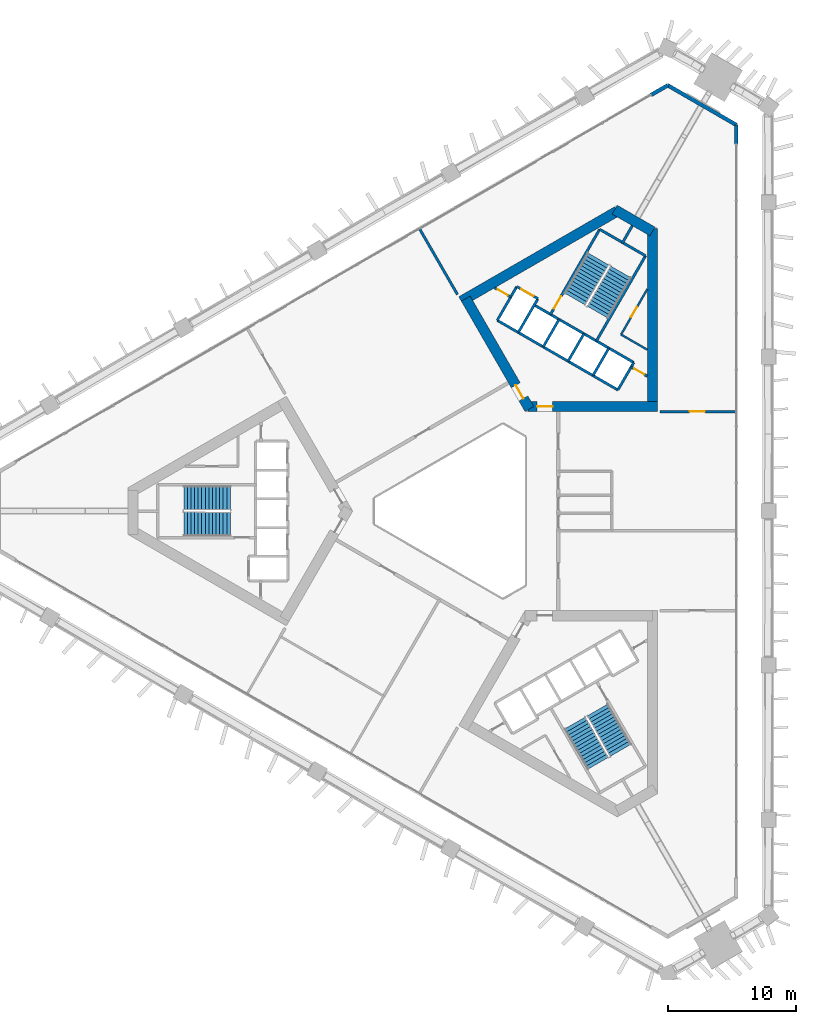
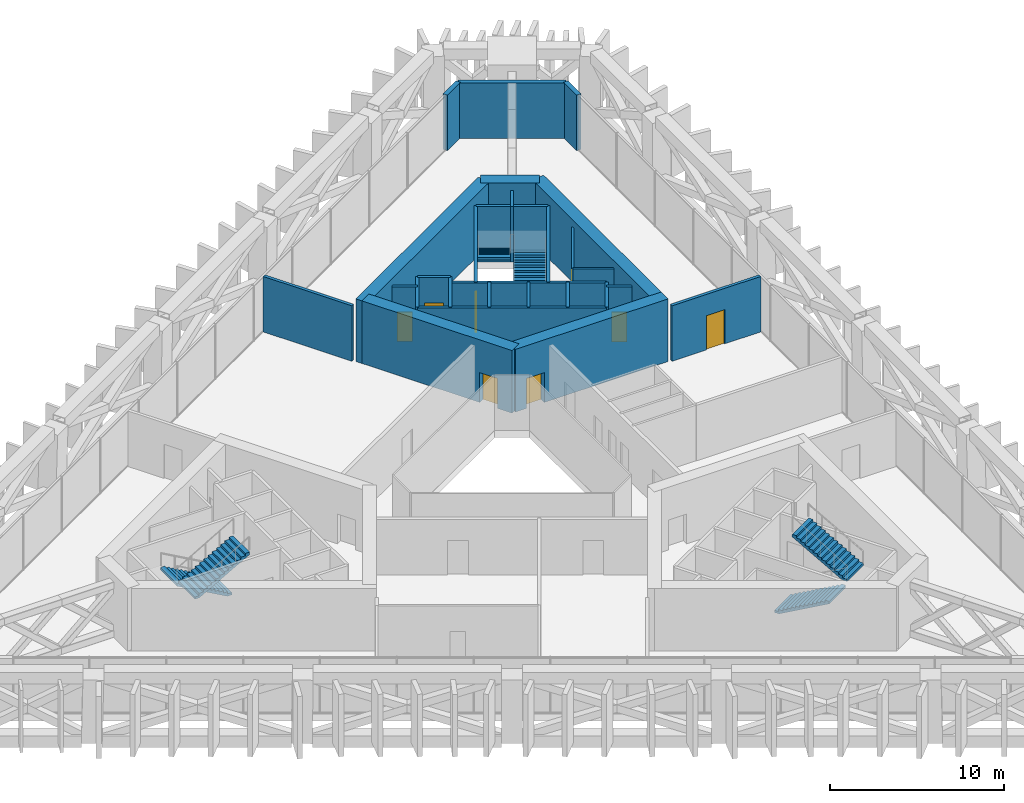
# One storey, part 16 of 18: 27 walls, 8 doors, 6 stair flights, 8 openings, 3 elements without a shape of their own.
"""IFC4 building model written with IfcOpenShell, lengths in metres."""

from ifc_helpers import new_model, si_unit, direction, frame, frame_2d, origin, place, context, subcontext, project, spatial, polyline, rectangle, outline, extrude, material, layer, layer_set, type_object, element, fill, aggregate, save


model = new_model("IFC4")

# Units and contexts
model_context = context("Model", 3, precision=1e-05, world=origin(), true_north=direction((0.0, 1.0)))
body_context = subcontext(model_context, "Body", "Model", "MODEL_VIEW")
ifc_project = project(units=[si_unit("LENGTHUNIT", "METRE"), si_unit("AREAUNIT", "SQUARE_METRE"), si_unit("VOLUMEUNIT", "CUBIC_METRE"), si_unit("PLANEANGLEUNIT", "RADIAN"), si_unit("MASSUNIT", "GRAM", prefix="KILO")], contexts=[model_context])

# Site, building, storey
site_placement = place(None, origin())
site = spatial("IfcSite", under=ifc_project, at=site_placement, CompositionType="ELEMENT")
building_placement = place(site_placement, origin())
building = spatial("IfcBuilding", under=site, at=building_placement, Name="Jabali Bay Hotel Tower and Convention Centre", CompositionType="ELEMENT")
storey_placement = place(building_placement, frame((0.0, 0.0, 52.89990234375)))
storey = spatial("IfcBuildingStorey", under=building, at=storey_placement, Name="L11", CompositionType="ELEMENT", Elevation=52.89990234375)

# Wall
ifc_material_1 = material(Name="Concrete C40", Category="concrete")
ifc_layer_1 = layer(ifc_material_1, 0.199951171875)
ifc_layer_set_1 = layer_set([ifc_layer_1], Name="Concrete C40")
wall_type_1 = type_object("IfcWallType", Name="Core partition wall 200", PredefinedType="PARTITIONING", material=ifc_layer_set_1)
wall_1_placement = place(storey_placement, frame((87.090087890625, 100.9404296875, 0.0), z_axis=(0.0, 0.0, 1.0), x_axis=(0.499956811548, 0.866050337213, 0.0)))
element("IfcWall", 1, at=wall_1_placement, inside=storey, type_object=wall_type_1, Name="Core wall 1.5 L11", PredefinedType="PARTITIONING", context=body_context, shape_type="SweptSolid", body=[
    extrude(rectangle(XDim=1.623291015625, YDim=0.199951171875, at=frame_2d((0.8115234375, 0.0))), origin(), (0.0, 0.0, 1.0), 3.900146484375),
])

# Wall, opening, door
wall_2_placement = place(storey_placement, frame((89.080078125, 90.553955078125, 0.0), z_axis=(0.0, 0.0, 1.0), x_axis=(-0.866022048785, 0.500005810984, 0.0)))
wall_2 = element("IfcWall", 2, at=wall_2_placement, inside=storey, type_object=wall_type_1, Name="Core wall 1.11 L11", PredefinedType="PARTITIONING", context=body_context, shape_type="SweptSolid", body=[
    extrude(rectangle(XDim=1.466796875, YDim=0.199951171875, at=frame_2d((0.7333984375, 0.0))), origin(), (0.0, 0.0, 1.0), 3.900146484375),
])
opening_1_placement = place(wall_2_placement, frame((0.283447265625, 0.0, 0.0)))
opening_1 = element("IfcOpeningElement", 3, at=opening_1_placement, cuts=wall_2, Name="Opening D315", PredefinedType="OPENING", context=body_context, shape_type="SweptSolid", body=[
    extrude(rectangle(XDim=0.89990234375, YDim=2.10009765625, at=frame_2d((0.449951171875, 1.050048828125))), frame((0.0, 0.1103515625, 0.0), z_axis=(0.0, -1.0, 0.0), x_axis=(1.0, 0.0, 0.0)), (0.0, 0.0, 1.0), 0.220947265625),
])
ifc_material_2 = material(Name="Fire-rated steel door", Category="steel")
door_type_1 = type_object("IfcDoorType", Name="Vestibule fire door 900 x 2100", OperationType="NOTDEFINED", PredefinedType="NOTDEFINED", material=ifc_material_2)
door_1_placement = place(opening_1_placement, origin())
door_1 = element("IfcDoor", 4, at=door_1_placement, inside=storey, type_object=door_type_1, Name="Vestibule fire door D315", OperationType="SINGLE_SWING_LEFT", OverallHeight=2.10009765625, OverallWidth=0.89990234375, PredefinedType="NOTDEFINED", context=body_context, shape_type="SweptSolid", body=[
    extrude(rectangle(XDim=0.89990234375, YDim=2.10009765625, at=frame_2d((0.449951171875, 1.050048828125))), frame((0.0, 0.02490234375, 0.0), z_axis=(0.0, -1.0, 0.0), x_axis=(1.0, 0.0, 0.0)), (0.0, 0.0, 1.0), 0.050048828125),
])
fill(opening_1, door_1)

wall_3_placement = place(storey_placement, frame((78.380126953125, 96.754638671875, 0.0), z_axis=(0.0, 0.0, 1.0), x_axis=(-0.866003949776, 0.500037157592, 0.0)))
wall_3 = element("IfcWall", 5, at=wall_3_placement, inside=storey, type_object=wall_type_1, Name="Core wall 1.12 L11", PredefinedType="PARTITIONING", context=body_context, shape_type="SweptSolid", body=[
    extrude(rectangle(XDim=1.455078125, YDim=0.199951171875, at=frame_2d((0.7275390625, 0.0))), origin(), (0.0, 0.0, 1.0), 3.900146484375),
])
opening_2_placement = place(wall_3_placement, frame((0.277587890625, 0.0, 0.0)))
opening_2 = element("IfcOpeningElement", 6, at=opening_2_placement, cuts=wall_3, Name="Opening D314", PredefinedType="OPENING", context=body_context, shape_type="SweptSolid", body=[
    extrude(rectangle(XDim=0.89990234375, YDim=2.10009765625, at=frame_2d((0.449951171875, 1.050048828125))), frame((0.0, 0.1103515625, 0.0), z_axis=(0.0, -1.0, 0.0), x_axis=(1.0, 0.0, 0.0)), (0.0, 0.0, 1.0), 0.220947265625),
])
door_2_placement = place(opening_2_placement, origin())
door_2 = element("IfcDoor", 7, at=door_2_placement, inside=storey, type_object=door_type_1, Name="Vestibule fire door D314", OperationType="SINGLE_SWING_LEFT", OverallHeight=2.10009765625, OverallWidth=0.89990234375, PredefinedType="NOTDEFINED", context=body_context, shape_type="SweptSolid", body=[
    extrude(rectangle(XDim=0.89990234375, YDim=2.10009765625, at=frame_2d((0.449951171875, 1.050048828125))), frame((0.0, 0.02490234375, 0.0), z_axis=(0.0, -1.0, 0.0), x_axis=(1.0, 0.0, 0.0)), (0.0, 0.0, 1.0), 0.050048828125),
])
fill(opening_2, door_2)

ifc_material_3 = material(Name="Fire-rated board partition")
ifc_layer_2 = layer(ifc_material_3, 0.14990234375)
ifc_layer_set_2 = layer_set([ifc_layer_2], Name="Fire-rated board partition")
wall_type_2 = type_object("IfcWallType", Name="Core room partition 150", PredefinedType="PARTITIONING", material=ifc_layer_set_2)
wall_4_placement = place(storey_placement, frame((87.02099609375, 93.821044921875, 0.0), z_axis=(0.0, 0.0, 1.0), x_axis=(0.500028662945, 0.866008854593, 0.0)))
wall_4 = element("IfcWall", 8, at=wall_4_placement, inside=storey, type_object=wall_type_2, Name="Core wall 1.1 L11", PredefinedType="PARTITIONING", context=body_context, shape_type="SweptSolid", body=[
    extrude(rectangle(XDim=4.117919921875, YDim=0.14990234375, at=frame_2d((2.05908203125, 0.0))), origin(), (0.0, 0.0, 1.0), 3.900146484375),
])
opening_3_placement = place(wall_4_placement, frame((1.58154296875, 0.0, 0.0)))
opening_3 = element("IfcOpeningElement", 9, at=opening_3_placement, cuts=wall_4, Name="Opening D317", PredefinedType="OPENING", context=body_context, shape_type="SweptSolid", body=[
    extrude(rectangle(XDim=0.89990234375, YDim=2.10009765625, at=frame_2d((0.449951171875, 1.050048828125))), frame((0.0, 0.08544921875, 0.0), z_axis=(0.0, -1.0, 0.0), x_axis=(1.0, 0.0, 0.0)), (0.0, 0.0, 1.0), 0.1708984375),
])
door_type_2 = type_object("IfcDoorType", Name="Core room door 900 x 2100", OperationType="NOTDEFINED", PredefinedType="NOTDEFINED", material=ifc_material_2)
door_3_placement = place(opening_3_placement, origin())
door_3 = element("IfcDoor", 10, at=door_3_placement, inside=storey, type_object=door_type_2, Name="Core room door D317", OperationType="SINGLE_SWING_LEFT", OverallHeight=2.10009765625, OverallWidth=0.89990234375, PredefinedType="NOTDEFINED", context=body_context, shape_type="SweptSolid", body=[
    extrude(rectangle(XDim=0.89990234375, YDim=2.10009765625, at=frame_2d((0.449951171875, 1.050048828125))), frame((0.0, 0.02490234375, 0.0), z_axis=(0.0, -1.0, 0.0), x_axis=(1.0, 0.0, 0.0)), (0.0, 0.0, 1.0), 0.050048828125),
])
fill(opening_3, door_3)

# Walls
wall_5_placement = place(storey_placement, frame((89.080078125, 92.63232421875, 0.0), z_axis=(0.0, 0.0, 1.0), x_axis=(-0.866041951395, 0.499971337603, 0.0)))
element("IfcWall", 11, at=wall_5_placement, inside=storey, type_object=wall_type_2, Name="Core wall 1.15 L11", PredefinedType="PARTITIONING", context=body_context, shape_type="SweptSolid", body=[
    extrude(rectangle(XDim=2.377685546875, YDim=0.14990234375, at=frame_2d((1.18896484375, 0.0))), origin(), (0.0, 0.0, 1.0), 3.900146484375),
])
ifc_layer_3 = layer(ifc_material_1, 0.199951171875)
ifc_layer_set_3 = layer_set([ifc_layer_3], Name="Concrete C40")
wall_type_3 = type_object("IfcWallType", Name="Core stair wall 200", PredefinedType="SOLIDWALL", material=ifc_layer_set_3)
for number, where, z_axis, x_axis, name in (
    (12, (86.769775390625, 89.48583984375, 0.0), (0.0, 0.0, 1.0), (0.499961042966, 0.86604789447, 0.0), "Core wall 1.0 L11"),
    (13, (84.8212890625, 90.61083984375, 0.0), (0.0, 0.0, 1.0), (0.499961042966, 0.86604789447, 0.0), "Core wall 1.2 L11"),
):
    element("IfcWall", number, at=place(storey_placement, frame(where, z_axis=z_axis, x_axis=x_axis)), inside=storey, type_object=wall_type_3, Name=name, PredefinedType="SOLIDWALL", context=body_context, shape_type="SweptSolid", body=[
        extrude(rectangle(XDim=2.480224609375, YDim=0.199951171875, at=frame_2d((1.240234375, 0.0))), origin(), (0.0, 0.0, 1.0), 3.900146484375),
    ])
wall_6_placement = place(storey_placement, frame((85.0869140625, 93.3212890625, 0.0), z_axis=(0.0, 0.0, 1.0), x_axis=(0.500019787375, 0.866013979237, 0.0)))
element("IfcWall", 14, at=wall_6_placement, inside=storey, type_object=wall_type_3, Name="Core wall 1.3 L11", PredefinedType="SOLIDWALL", context=body_context, shape_type="SweptSolid", body=[
    extrude(rectangle(XDim=7.699951171875, YDim=0.199951171875, at=frame_2d((3.85009765625, 0.0))), origin(), (0.0, 0.0, 1.0), 3.900146484375),
])
for number, where, z_axis, x_axis, name in (
    (15, (82.872802734375, 91.73583984375, 0.0), (0.0, 0.0, 1.0), (0.499961042966, 0.86604789447, 0.0), "Core wall 1.4 L11"),
    (16, (80.924072265625, 92.86083984375, 0.0), (0.0, 0.0, 1.0), (0.499961042966, 0.86604789447, 0.0), "Core wall 1.6 L11"),
):
    element("IfcWall", number, at=place(storey_placement, frame(where, z_axis=z_axis, x_axis=x_axis)), inside=storey, type_object=wall_type_3, Name=name, PredefinedType="SOLIDWALL", context=body_context, shape_type="SweptSolid", body=[
        extrude(rectangle(XDim=2.480224609375, YDim=0.199951171875, at=frame_2d((1.240234375, 0.0))), origin(), (0.0, 0.0, 1.0), 3.900146484375),
    ])

# Wall, opening, door
wall_7_placement = place(storey_placement, frame((81.492919921875, 95.396240234375, 0.0), z_axis=(0.0, 0.0, 1.0), x_axis=(0.500006057782, 0.866021906294, 0.0)))
wall_7 = element("IfcWall", 17, at=wall_7_placement, inside=storey, type_object=wall_type_3, Name="Core wall 1.7 L11", PredefinedType="SOLIDWALL", context=body_context, shape_type="SweptSolid", body=[
    extrude(rectangle(XDim=7.7001953125, YDim=0.199951171875, at=frame_2d((3.85009765625, 0.0))), origin(), (0.0, 0.0, 1.0), 3.900146484375),
])
opening_4_placement = place(wall_7_placement, frame((0.550048828125, 0.0, 0.0)))
opening_4 = element("IfcOpeningElement", 18, at=opening_4_placement, cuts=wall_7, Name="Opening D316", PredefinedType="OPENING", context=body_context, shape_type="SweptSolid", body=[
    extrude(rectangle(XDim=1.10009765625, YDim=2.10009765625, at=frame_2d((0.550048828125, 1.050048828125))), frame((0.0, 0.1103515625, 0.0), z_axis=(0.0, -1.0, 0.0), x_axis=(1.0, 0.0, 0.0)), (0.0, 0.0, 1.0), 0.220947265625),
])
door_type_3 = type_object("IfcDoorType", Name="Stair fire door 1100 x 2100", OperationType="NOTDEFINED", PredefinedType="NOTDEFINED", material=ifc_material_2)
door_4_placement = place(opening_4_placement, origin())
door_4 = element("IfcDoor", 19, at=door_4_placement, inside=storey, type_object=door_type_3, Name="Stair fire door D316", OperationType="SINGLE_SWING_RIGHT", OverallHeight=2.10009765625, OverallWidth=1.10009765625, PredefinedType="NOTDEFINED", context=body_context, shape_type="SweptSolid", body=[
    extrude(rectangle(XDim=1.10009765625, YDim=2.10009765625, at=frame_2d((0.550048828125, 1.050048828125))), frame((0.0, 0.02490234375, 0.0), z_axis=(0.0, -1.0, 0.0), x_axis=(1.0, 0.0, 0.0)), (0.0, 0.0, 1.0), 0.050048828125),
])
fill(opening_4, door_4)

# Walls
for number, where, z_axis, x_axis, name in (
    (20, (78.9755859375, 93.98583984375, 0.0), (0.0, 0.0, 1.0), (0.499944174705, 0.866057632134, 0.0), "Core wall 1.8 L11"),
    (21, (77.330078125, 94.93603515625, 0.0), (0.0, 0.0, 1.0), (0.500038867431, 0.8660029625, 0.0), "Core wall 1.9 L11"),
):
    element("IfcWall", number, at=place(storey_placement, frame(where, z_axis=z_axis, x_axis=x_axis)), inside=storey, type_object=wall_type_3, Name=name, PredefinedType="SOLIDWALL", context=body_context, shape_type="SweptSolid", body=[
        extrude(rectangle(XDim=3.050048828125, YDim=0.199951171875, at=frame_2d((1.52490234375, 0.0))), origin(), (0.0, 0.0, 1.0), 3.900146484375),
    ])
wall_8_placement = place(storey_placement, frame((86.769775390625, 89.48583984375, 0.0), z_axis=(0.0, 0.0, 1.0), x_axis=(-0.86601811187, 0.500012629753, 0.0)))
element("IfcWall", 22, at=wall_8_placement, inside=storey, type_object=wall_type_3, Name="Core wall 1.10 L11", PredefinedType="SOLIDWALL", context=body_context, shape_type="SweptSolid", body=[
    extrude(rectangle(XDim=10.900146484375, YDim=0.199951171875, at=frame_2d((5.4501953125, 0.0))), origin(), (0.0, 0.0, 1.0), 3.900146484375),
])
wall_9_placement = place(storey_placement, frame((88.009765625, 91.6337890625, 0.0), z_axis=(0.0, 0.0, 1.0), x_axis=(-0.866024315419, 0.5000018851, 0.0)))
element("IfcWall", 23, at=wall_9_placement, inside=storey, type_object=wall_type_3, Name="Core wall 1.13 L11", PredefinedType="SOLIDWALL", context=body_context, shape_type="SweptSolid", body=[
    extrude(rectangle(XDim=9.0, YDim=0.199951171875, at=frame_2d((4.5, 0.0))), origin(), (0.0, 0.0, 1.0), 3.900146484375),
])

# Wall, opening, door
wall_10_placement = place(storey_placement, frame((80.50048828125, 96.62744140625, 0.0), z_axis=(0.0, 0.0, 1.0), x_axis=(-0.86601224135, 0.500022797313, 0.0)))
wall_10 = element("IfcWall", 24, at=wall_10_placement, inside=storey, type_object=wall_type_3, Name="Core wall 1.14 L11", PredefinedType="SOLIDWALL", context=body_context, shape_type="SweptSolid", body=[
    extrude(rectangle(XDim=1.89990234375, YDim=0.199951171875, at=frame_2d((0.949951171875, 0.0))), origin(), (0.0, 0.0, 1.0), 3.900146484375),
])
opening_5_placement = place(wall_10_placement, frame((0.39990234375, 0.0, 0.0)))
opening_5 = element("IfcOpeningElement", 25, at=opening_5_placement, cuts=wall_10, Name="Opening LD10-L11", PredefinedType="OPENING", context=body_context, shape_type="SweptSolid", body=[
    extrude(rectangle(XDim=1.10009765625, YDim=2.10009765625, at=frame_2d((0.550048828125, 1.050048828125))), frame((0.0, 0.1103515625, 0.0), z_axis=(0.0, -1.0, 0.0), x_axis=(1.0, 0.0, 0.0)), (0.0, 0.0, 1.0), 0.220947265625),
])
ifc_material_4 = material(Name="Stainless steel landing door", Category="steel")
door_type_4 = type_object("IfcDoorType", Name="Landing door 1100 x 2100", OperationType="NOTDEFINED", PredefinedType="NOTDEFINED", material=ifc_material_4)
door_5_placement = place(opening_5_placement, origin())
door_5 = element("IfcDoor", 26, at=door_5_placement, inside=storey, type_object=door_type_4, Name="Landing doors LD10-L11", OperationType="SLIDING_TO_RIGHT", OverallHeight=2.10009765625, OverallWidth=1.10009765625, PredefinedType="NOTDEFINED", context=body_context, shape_type="SweptSolid", body=[
    extrude(rectangle(XDim=1.10009765625, YDim=2.10009765625, at=frame_2d((0.550048828125, 1.050048828125))), frame((0.0, 0.02490234375, 0.0), z_axis=(0.0, -1.0, 0.0), x_axis=(1.0, 0.0, 0.0)), (0.0, 0.0, 1.0), 0.050048828125),
])
fill(opening_5, door_5)

# Wall
wall_11_placement = place(storey_placement, frame((88.93701171875, 99.989501953125, 0.0), z_axis=(0.0, 0.0, 1.0), x_axis=(-0.866004344652, 0.500036473714, 0.0)))
element("IfcWall", 27, at=wall_11_placement, inside=storey, type_object=wall_type_3, Name="Core wall 1.16 L11", PredefinedType="SOLIDWALL", context=body_context, shape_type="SweptSolid", body=[
    extrude(rectangle(XDim=4.150146484375, YDim=0.199951171875, at=frame_2d((2.0751953125, 0.0))), origin(), (0.0, 0.0, 1.0), 3.900146484375),
])

# Wall, opening, door
ifc_material_5 = material(Name="Concrete C60", Category="concrete")
ifc_layer_4 = layer(ifc_material_5, 0.800048828125)
ifc_layer_set_4 = layer_set([ifc_layer_4], Name="Concrete C60")
wall_type_4 = type_object("IfcWallType", Name="Core wall 800", PredefinedType="SHEAR", material=ifc_layer_set_4)
wall_12_placement = place(storey_placement, frame((79.73095703125, 88.1943359375, 0.0), z_axis=(0.0, 0.0, 1.0), x_axis=(1.0, 0.0, 0.0)))
wall_12 = element("IfcWall", 28, at=wall_12_placement, inside=storey, type_object=wall_type_4, Name="Core wall 2.1 L11", PredefinedType="SHEAR", context=body_context, shape_type="SweptSolid", body=[
    extrude(rectangle(XDim=10.14892578125, YDim=0.800048828125, at=frame_2d((5.074462890625, 0.0))), origin(), (0.0, 0.0, 1.0), 4.400146484375),
])
opening_6_placement = place(wall_12_placement, frame((0.718994140625, 0.0, 0.0)))
opening_6 = element("IfcOpeningElement", 29, at=opening_6_placement, cuts=wall_12, Name="Opening D312", PredefinedType="OPENING", context=body_context, shape_type="SweptSolid", body=[
    extrude(rectangle(XDim=1.199951171875, YDim=2.10009765625, at=frame_2d((0.60009765625, 1.050048828125))), frame((0.0, 0.41064453125, 0.0), z_axis=(0.0, -1.0, 0.0), x_axis=(1.0, 0.0, 0.0)), (0.0, 0.0, 1.0), 0.821044921875),
])
door_type_5 = type_object("IfcDoorType", Name="Corridor end fire door 1200 x 2100", OperationType="NOTDEFINED", PredefinedType="NOTDEFINED", material=ifc_material_2)
door_6_placement = place(opening_6_placement, origin())
door_6 = element("IfcDoor", 30, at=door_6_placement, inside=storey, type_object=door_type_5, Name="Corridor end fire door D312", OperationType="SINGLE_SWING_RIGHT", OverallHeight=2.10009765625, OverallWidth=1.199951171875, PredefinedType="NOTDEFINED", context=body_context, shape_type="SweptSolid", body=[
    extrude(rectangle(XDim=1.199951171875, YDim=2.10009765625, at=frame_2d((0.60009765625, 1.050048828125))), frame((0.0, 0.02490234375, 0.0), z_axis=(0.0, -1.0, 0.0), x_axis=(1.0, 0.0, 0.0)), (0.0, 0.0, 1.0), 0.050048828125),
])
fill(opening_6, door_6)

# Walls
wall_13_placement = place(storey_placement, frame((89.47998046875, 88.1943359375, 0.0), z_axis=(0.0, 0.0, 1.0), x_axis=(0.0, 1.0, 0.0)))
element("IfcWall", 31, at=wall_13_placement, inside=storey, type_object=wall_type_4, Name="Core wall 2.2 L11", PredefinedType="SHEAR", context=body_context, shape_type="SweptSolid", body=[
    extrude(rectangle(XDim=13.933349609375, YDim=0.800048828125, at=frame_2d((6.966796875, 0.0))), origin(), (0.0, 0.0, 1.0), 4.400146484375),
])
wall_14_placement = place(storey_placement, frame((89.47998046875, 101.896728515625, 0.0), z_axis=(0.0, 0.0, 1.0), x_axis=(-0.866034355626, 0.499984494636, 0.0)))
element("IfcWall", 32, at=wall_14_placement, inside=storey, type_object=wall_type_4, Name="Core wall 2.3 L11", PredefinedType="SHEAR", context=body_context, shape_type="SweptSolid", body=[
    extrude(rectangle(XDim=3.4140625, YDim=0.800048828125, at=frame_2d((1.70703125, 0.0))), origin(), (0.0, 0.0, 1.0), 4.400146484375),
])
wall_15_placement = place(storey_placement, frame((86.72314453125, 103.48828125, 0.0), z_axis=(0.0, 0.0, 1.0), x_axis=(-0.866032504327, -0.499987701298, 0.0)))
element("IfcWall", 33, at=wall_15_placement, inside=storey, type_object=wall_type_4, Name="Core wall 2.4 L11", PredefinedType="SHEAR", context=body_context, shape_type="SweptSolid", body=[
    extrude(rectangle(XDim=14.102294921875, YDim=0.800048828125, at=frame_2d((7.05126953125, 0.0))), origin(), (0.0, 0.0, 1.0), 4.400146484375),
])

# Wall, opening, door
wall_16_placement = place(storey_placement, frame((74.8564453125, 96.63720703125, 0.0), z_axis=(0.0, 0.0, 1.0), x_axis=(0.499993500917, -0.866029155999, 0.0)))
wall_16 = element("IfcWall", 34, at=wall_16_placement, inside=storey, type_object=wall_type_4, Name="Core wall 2.5 L11", PredefinedType="SHEAR", context=body_context, shape_type="SweptSolid", body=[
    extrude(rectangle(XDim=9.980224609375, YDim=0.800048828125, at=frame_2d((4.990234375, 0.0))), origin(), (0.0, 0.0, 1.0), 4.400146484375),
])
opening_7_placement = place(wall_16_placement, frame((7.830078125, 0.0, 0.0)))
opening_7 = element("IfcOpeningElement", 35, at=opening_7_placement, cuts=wall_16, Name="Opening D313", PredefinedType="OPENING", context=body_context, shape_type="SweptSolid", body=[
    extrude(rectangle(XDim=1.199951171875, YDim=2.10009765625, at=frame_2d((0.60009765625, 1.050048828125))), frame((0.0, 0.41064453125, 0.0), z_axis=(0.0, -1.0, 0.0), x_axis=(1.0, 0.0, 0.0)), (0.0, 0.0, 1.0), 0.821044921875),
])
door_7_placement = place(opening_7_placement, origin())
door_7 = element("IfcDoor", 36, at=door_7_placement, inside=storey, type_object=door_type_5, Name="Corridor end fire door D313", OperationType="SINGLE_SWING_LEFT", OverallHeight=2.10009765625, OverallWidth=1.199951171875, PredefinedType="NOTDEFINED", context=body_context, shape_type="SweptSolid", body=[
    extrude(rectangle(XDim=1.199951171875, YDim=2.10009765625, at=frame_2d((0.60009765625, 1.050048828125))), frame((0.0, 0.02490234375, 0.0), z_axis=(0.0, -1.0, 0.0), x_axis=(1.0, 0.0, 0.0)), (0.0, 0.0, 1.0), 0.050048828125),
])
fill(opening_7, door_7)

# Walls
ifc_layer_5 = layer(ifc_material_1, 0.300048828125)
ifc_layer_set_5 = layer_set([ifc_layer_5], Name="Concrete C40")
wall_type_5 = type_object("IfcWallType", Name="External wall 300", PredefinedType="SOLIDWALL", material=ifc_layer_set_5)
wall_17_placement = place(storey_placement, frame((90.676513671875, 113.343017578125, 0.0), z_axis=(0.0, 0.0, 1.0), x_axis=(0.866025993994, -0.499998977725, 0.0)))
element("IfcWall", 37, at=wall_17_placement, inside=storey, type_object=wall_type_5, Name="External wall north-east chamfer L11", PredefinedType="SOLIDWALL", context=body_context, shape_type="SweptSolid", body=[
    extrude(rectangle(XDim=6.1904296875, YDim=0.300048828125, at=frame_2d((3.09521484375, 0.0))), origin(), (0.0, 0.0, 1.0), 3.900146484375),
])
for number, where, z_axis, x_axis, name in (
    (38, (96.03759765625, 110.247802734375, 0.0), (0.0, 0.0, 1.0), (0.0, -1.0, 0.0), "External wall east face L11"),
    (39, (89.37744140625, 112.593017578125, 0.0), (0.0, 0.0, 1.0), (0.866031096941, 0.499990139034, 0.0), "External wall north-west face L11"),
):
    element("IfcWall", number, at=place(storey_placement, frame(where, z_axis=z_axis, x_axis=x_axis)), inside=storey, type_object=wall_type_5, Name=name, PredefinedType="SOLIDWALL", context=body_context, shape_type="SweptSolid", body=[
        extrude(rectangle(XDim=1.5, YDim=0.300048828125, at=frame_2d((0.75, 0.0))), origin(), (0.0, 0.0, 1.0), 3.900146484375),
    ])

# Wall, opening, door
ifc_material_6 = material(Name="Plasterboard on steel stud", Category="steel")
ifc_layer_6 = layer(ifc_material_6, 0.199951171875)
ifc_layer_set_6 = layer_set([ifc_layer_6], Name="Plasterboard on steel stud")
wall_type_6 = type_object("IfcWallType", Name="Partition 200 party", PredefinedType="PARTITIONING", material=ifc_layer_set_6)
wall_18_placement = place(storey_placement, frame((90.0791015625, 87.794189453125, 0.0), z_axis=(0.0, 0.0, 1.0), x_axis=(1.0, 0.0, 0.0)))
wall_18 = element("IfcWall", 40, at=wall_18_placement, inside=storey, type_object=wall_type_6, Name="Partition P01 L11 008", PredefinedType="PARTITIONING", context=body_context, shape_type="SweptSolid", body=[
    extrude(rectangle(XDim=5.904541015625, YDim=0.199951171875, at=frame_2d((2.9521484375, 0.0))), origin(), (0.0, 0.0, 1.0), 3.900146484375),
])
opening_8_placement = place(wall_18_placement, frame((2.304931640625, 0.0, 0.0)))
opening_8 = element("IfcOpeningElement", 41, at=opening_8_placement, cuts=wall_18, Name="Opening 1111", PredefinedType="OPENING", context=body_context, shape_type="SweptSolid", body=[
    extrude(rectangle(XDim=1.199951171875, YDim=2.39990234375, at=frame_2d((0.60009765625, 1.199951171875))), frame((0.0, 0.1103515625, 0.0), z_axis=(0.0, -1.0, 0.0), x_axis=(1.0, 0.0, 0.0)), (0.0, 0.0, 1.0), 0.220947265625),
])
ifc_material_7 = material(Name="Timber", Category="wood")
door_type_6 = type_object("IfcDoorType", Name="Public room door 1200 x 2400", OperationType="NOTDEFINED", PredefinedType="NOTDEFINED", material=ifc_material_7)
door_8_placement = place(opening_8_placement, origin())
door_8 = element("IfcDoor", 42, at=door_8_placement, inside=storey, type_object=door_type_6, Name="Door 1111", OperationType="SINGLE_SWING_RIGHT", OverallHeight=2.39990234375, OverallWidth=1.199951171875, PredefinedType="NOTDEFINED", context=body_context, shape_type="SweptSolid", body=[
    extrude(rectangle(XDim=1.199951171875, YDim=2.39990234375, at=frame_2d((0.60009765625, 1.199951171875))), frame((0.0, 0.02490234375, 0.0), z_axis=(0.0, -1.0, 0.0), x_axis=(1.0, 0.0, 0.0)), (0.0, 0.0, 1.0), 0.050048828125),
])
fill(opening_8, door_8)

# Wall
wall_19_placement = place(storey_placement, frame((71.258056640625, 102.069580078125, 0.0), z_axis=(0.0, 0.0, 1.0), x_axis=(0.49999445743, -0.866028603765, 0.0)))
element("IfcWall", 43, at=wall_19_placement, inside=storey, type_object=wall_type_6, Name="Partition P01 L11 010", PredefinedType="PARTITIONING", context=body_context, shape_type="SweptSolid", body=[
    extrude(rectangle(XDim=5.90478515625, YDim=0.199951171875, at=frame_2d((2.952392578125, 0.0))), origin(), (0.0, 0.0, 1.0), 3.900146484375),
])

# Stair, stair flights
stair_type = type_object("IfcStairType", Name="Exit stair 1900", PredefinedType="HALF_TURN_STAIR", material=ifc_material_1)
stair_1_placement = place(storey_placement, origin())
stair_1 = element("IfcStair", 44, at=stair_1_placement, inside=storey, type_object=stair_type, Name="L11 Exit Stair 1", PredefinedType="HALF_TURN_STAIR")
stair_flight_type = type_object("IfcStairFlightType", Name="Stair flight concrete 150", PredefinedType="STRAIGHT", material=ifc_material_1)
stair_flight_1_placement = place(storey_placement, frame((56.419921875, 81.02490234375, 0.0), z_axis=(0.0, 0.0, 1.0), x_axis=(-1.0, 0.0, 0.0)))
stair_flight_1 = element("IfcStairFlight", 45, at=stair_flight_1_placement, type_object=stair_flight_type, Name="ST1 flight 1", NumberOfRisers=14, NumberOfTreads=13, PredefinedType="STRAIGHT", RiserHeight=0.157142857, TreadLength=0.28, context=body_context, shape_type="SweptSolid", body=[
    extrude(outline(polyline([(0.0, 0.0), (0.0, 0.1572265625), (0.280029296875, 0.1572265625), (0.280029296875, 0.314208984375), (0.56005859375, 0.314208984375), (0.56005859375, 0.471435546875), (0.840087890625, 0.471435546875), (0.840087890625, 0.628662109375), (1.1201171875, 0.628662109375), (1.1201171875, 0.78564453125), (1.39990234375, 0.78564453125), (1.39990234375, 0.94287109375), (1.679931640625, 0.94287109375), (1.679931640625, 1.10009765625), (1.9599609375, 1.10009765625), (1.9599609375, 1.257080078125), (2.239990234375, 1.257080078125), (2.239990234375, 1.414306640625), (2.52001953125, 1.414306640625), (2.52001953125, 1.571533203125), (2.800048828125, 1.571533203125), (2.800048828125, 1.728515625), (3.080078125, 1.728515625), (3.080078125, 1.8857421875), (3.360107421875, 1.8857421875), (3.360107421875, 2.04296875), (3.639892578125, 2.04296875), (3.639892578125, 2.199951171875), (3.639892578125, 1.870849609375), (0.306396484375, 0.0), (0.0, 0.0)])), frame((0.0, 0.949951171875, 0.0), z_axis=(0.0, -1.0, 0.0), x_axis=(1.0, 0.0, 0.0)), (0.0, 0.0, 1.0), 1.89990234375),
])
stair_flight_2_placement = place(storey_placement, frame((52.780029296875, 78.97509765625, 2.2001953125), z_axis=(0.0, 0.0, 1.0), x_axis=(1.0, 0.0, 0.0)))
stair_flight_2 = element("IfcStairFlight", 46, at=stair_flight_2_placement, type_object=stair_flight_type, Name="ST1 flight 2", NumberOfRisers=14, NumberOfTreads=13, PredefinedType="STRAIGHT", RiserHeight=0.157142857, TreadLength=0.28, context=body_context, shape_type="SweptSolid", body=[
    extrude(outline(polyline([(0.0, 0.0), (0.0, 0.1572265625), (0.280029296875, 0.1572265625), (0.280029296875, 0.314208984375), (0.56005859375, 0.314208984375), (0.56005859375, 0.471435546875), (0.840087890625, 0.471435546875), (0.840087890625, 0.628662109375), (1.1201171875, 0.628662109375), (1.1201171875, 0.78564453125), (1.39990234375, 0.78564453125), (1.39990234375, 0.94287109375), (1.679931640625, 0.94287109375), (1.679931640625, 1.10009765625), (1.9599609375, 1.10009765625), (1.9599609375, 1.257080078125), (2.239990234375, 1.257080078125), (2.239990234375, 1.414306640625), (2.52001953125, 1.414306640625), (2.52001953125, 1.571533203125), (2.800048828125, 1.571533203125), (2.800048828125, 1.728515625), (3.080078125, 1.728515625), (3.080078125, 1.8857421875), (3.360107421875, 1.8857421875), (3.360107421875, 2.04296875), (3.639892578125, 2.04296875), (3.639892578125, 2.199951171875), (3.639892578125, 1.870849609375), (0.306396484375, 0.0), (0.0, 0.0)])), frame((0.0, 0.949951171875, 0.0), z_axis=(0.0, -1.0, 0.0), x_axis=(1.0, 0.0, 0.0)), (0.0, 0.0, 1.0), 1.89990234375),
])
aggregate(stair_1, [stair_flight_1, stair_flight_2])

stair_2_placement = place(storey_placement, origin())
stair_2 = element("IfcStair", 47, at=stair_2_placement, inside=storey, type_object=stair_type, Name="L11 Exit Stair 2", PredefinedType="HALF_TURN_STAIR")
stair_flight_3_placement = place(storey_placement, frame((85.177734375, 95.578369140625, 0.0), z_axis=(0.0, 0.0, 1.0), x_axis=(0.5, 0.866025403784, 0.0)))
stair_flight_3 = element("IfcStairFlight", 48, at=stair_flight_3_placement, type_object=stair_flight_type, Name="ST2 flight 1", NumberOfRisers=14, NumberOfTreads=13, PredefinedType="STRAIGHT", RiserHeight=0.157142857, TreadLength=0.28, context=body_context, shape_type="SweptSolid", body=[
    extrude(outline(polyline([(0.0, 0.0), (0.0, 0.1572265625), (0.280029296875, 0.1572265625), (0.280029296875, 0.314208984375), (0.56005859375, 0.314208984375), (0.56005859375, 0.471435546875), (0.840087890625, 0.471435546875), (0.840087890625, 0.628662109375), (1.1201171875, 0.628662109375), (1.1201171875, 0.78564453125), (1.39990234375, 0.78564453125), (1.39990234375, 0.94287109375), (1.679931640625, 0.94287109375), (1.679931640625, 1.10009765625), (1.9599609375, 1.10009765625), (1.9599609375, 1.257080078125), (2.239990234375, 1.257080078125), (2.239990234375, 1.414306640625), (2.52001953125, 1.414306640625), (2.52001953125, 1.571533203125), (2.800048828125, 1.571533203125), (2.800048828125, 1.728515625), (3.080078125, 1.728515625), (3.080078125, 1.8857421875), (3.360107421875, 1.8857421875), (3.360107421875, 2.04296875), (3.639892578125, 2.04296875), (3.639892578125, 2.199951171875), (3.639892578125, 1.870849609375), (0.306396484375, 0.0), (0.0, 0.0)])), frame((0.0, 0.949951171875, 0.0), z_axis=(0.0, -1.0, 0.0), x_axis=(1.0, 0.0, 0.0)), (0.0, 0.0, 1.0), 1.89990234375),
])
stair_flight_4_placement = place(storey_placement, frame((85.222412109375, 99.755615234375, 2.2001953125), z_axis=(0.0, 0.0, 1.0), x_axis=(-0.5, -0.866025403784, 0.0)))
stair_flight_4 = element("IfcStairFlight", 49, at=stair_flight_4_placement, type_object=stair_flight_type, Name="ST2 flight 2", NumberOfRisers=14, NumberOfTreads=13, PredefinedType="STRAIGHT", RiserHeight=0.157142857, TreadLength=0.28, context=body_context, shape_type="SweptSolid", body=[
    extrude(outline(polyline([(0.0, 0.0), (0.0, 0.1572265625), (0.280029296875, 0.1572265625), (0.280029296875, 0.314208984375), (0.56005859375, 0.314208984375), (0.56005859375, 0.471435546875), (0.840087890625, 0.471435546875), (0.840087890625, 0.628662109375), (1.1201171875, 0.628662109375), (1.1201171875, 0.78564453125), (1.39990234375, 0.78564453125), (1.39990234375, 0.94287109375), (1.679931640625, 0.94287109375), (1.679931640625, 1.10009765625), (1.9599609375, 1.10009765625), (1.9599609375, 1.257080078125), (2.239990234375, 1.257080078125), (2.239990234375, 1.414306640625), (2.52001953125, 1.414306640625), (2.52001953125, 1.571533203125), (2.800048828125, 1.571533203125), (2.800048828125, 1.728515625), (3.080078125, 1.728515625), (3.080078125, 1.8857421875), (3.360107421875, 1.8857421875), (3.360107421875, 2.04296875), (3.639892578125, 2.04296875), (3.639892578125, 2.199951171875), (3.639892578125, 1.870849609375), (0.306396484375, 0.0), (0.0, 0.0)])), frame((0.0, 0.949951171875, 0.0), z_axis=(0.0, -1.0, 0.0), x_axis=(1.0, 0.0, 0.0)), (0.0, 0.0, 1.0), 1.89990234375),
])
aggregate(stair_2, [stair_flight_3, stair_flight_4])

stair_3_placement = place(storey_placement, origin())
stair_3 = element("IfcStair", 50, at=stair_3_placement, inside=storey, type_object=stair_type, Name="L11 Exit Stair 3", PredefinedType="HALF_TURN_STAIR")
stair_flight_5_placement = place(storey_placement, frame((83.40234375, 63.396728515625, 0.0), z_axis=(0.0, 0.0, 1.0), x_axis=(0.5, -0.866025403784, 0.0)))
stair_flight_5 = element("IfcStairFlight", 51, at=stair_flight_5_placement, type_object=stair_flight_type, Name="ST3 flight 1", NumberOfRisers=14, NumberOfTreads=13, PredefinedType="STRAIGHT", RiserHeight=0.157142857, TreadLength=0.28, context=body_context, shape_type="SweptSolid", body=[
    extrude(outline(polyline([(0.0, 0.0), (0.0, 0.1572265625), (0.280029296875, 0.1572265625), (0.280029296875, 0.314208984375), (0.56005859375, 0.314208984375), (0.56005859375, 0.471435546875), (0.840087890625, 0.471435546875), (0.840087890625, 0.628662109375), (1.1201171875, 0.628662109375), (1.1201171875, 0.78564453125), (1.39990234375, 0.78564453125), (1.39990234375, 0.94287109375), (1.679931640625, 0.94287109375), (1.679931640625, 1.10009765625), (1.9599609375, 1.10009765625), (1.9599609375, 1.257080078125), (2.239990234375, 1.257080078125), (2.239990234375, 1.414306640625), (2.52001953125, 1.414306640625), (2.52001953125, 1.571533203125), (2.800048828125, 1.571533203125), (2.800048828125, 1.728515625), (3.080078125, 1.728515625), (3.080078125, 1.8857421875), (3.360107421875, 1.8857421875), (3.360107421875, 2.04296875), (3.639892578125, 2.04296875), (3.639892578125, 2.199951171875), (3.639892578125, 1.870849609375), (0.306396484375, 0.0), (0.0, 0.0)])), frame((0.0, 0.949951171875, 0.0), z_axis=(0.0, -1.0, 0.0), x_axis=(1.0, 0.0, 0.0)), (0.0, 0.0, 1.0), 1.89990234375),
])
stair_flight_6_placement = place(storey_placement, frame((86.99755859375, 61.26953125, 2.2001953125), z_axis=(0.0, 0.0, 1.0), x_axis=(-0.5, 0.866025403784, 0.0)))
stair_flight_6 = element("IfcStairFlight", 52, at=stair_flight_6_placement, type_object=stair_flight_type, Name="ST3 flight 2", NumberOfRisers=14, NumberOfTreads=13, PredefinedType="STRAIGHT", RiserHeight=0.157142857, TreadLength=0.28, context=body_context, shape_type="SweptSolid", body=[
    extrude(outline(polyline([(0.0, 0.0), (0.0, 0.1572265625), (0.280029296875, 0.1572265625), (0.280029296875, 0.314208984375), (0.56005859375, 0.314208984375), (0.56005859375, 0.471435546875), (0.840087890625, 0.471435546875), (0.840087890625, 0.628662109375), (1.1201171875, 0.628662109375), (1.1201171875, 0.78564453125), (1.39990234375, 0.78564453125), (1.39990234375, 0.94287109375), (1.679931640625, 0.94287109375), (1.679931640625, 1.10009765625), (1.9599609375, 1.10009765625), (1.9599609375, 1.257080078125), (2.239990234375, 1.257080078125), (2.239990234375, 1.414306640625), (2.52001953125, 1.414306640625), (2.52001953125, 1.571533203125), (2.800048828125, 1.571533203125), (2.800048828125, 1.728515625), (3.080078125, 1.728515625), (3.080078125, 1.8857421875), (3.360107421875, 1.8857421875), (3.360107421875, 2.04296875), (3.639892578125, 2.04296875), (3.639892578125, 2.199951171875), (3.639892578125, 1.870849609375), (0.306396484375, 0.0), (0.0, 0.0)])), frame((0.0, 0.949951171875, 0.0), z_axis=(0.0, -1.0, 0.0), x_axis=(1.0, 0.0, 0.0)), (0.0, 0.0, 1.0), 1.89990234375),
])
aggregate(stair_3, [stair_flight_5, stair_flight_6])

save(model, "model.ifc")
